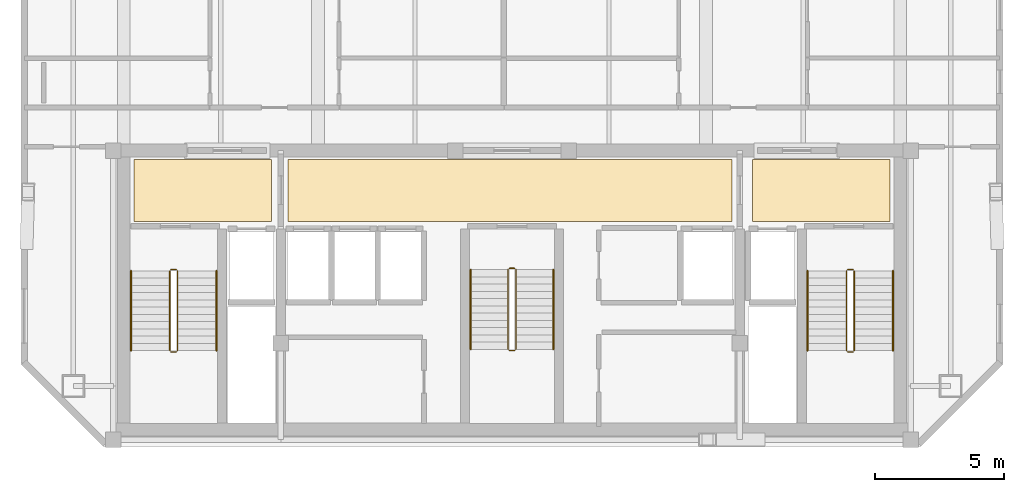
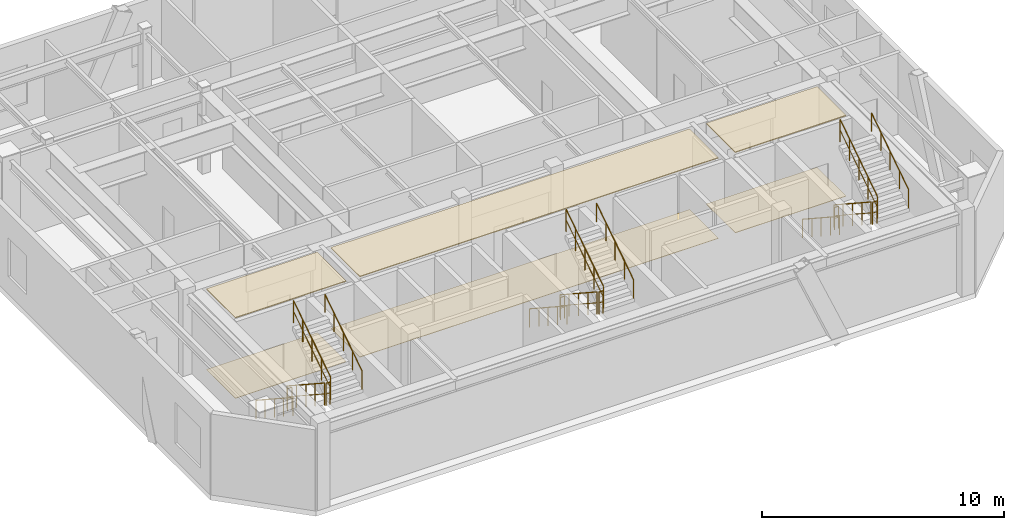
# One storey, part 10 of 10: 18 railings, 6 coverings.
"""IFC4 building model written with IfcOpenShell, lengths in metres."""

from ifc_helpers import new_model, si_unit, direction, frame, origin, origin_2d, place, context, subcontext, project, spatial, polyline, circle, outline, extrude, material, layer, layer_set, type_object, element, save


model = new_model("IFC4")

# Units and contexts
model_context = context("Model", 3, precision=1e-05, world=origin(), true_north=direction((0.0, 1.0)))
body_context = subcontext(model_context, "Body", "Model", "MODEL_VIEW")
ifc_project = project(units=[si_unit("LENGTHUNIT", "METRE"), si_unit("AREAUNIT", "SQUARE_METRE"), si_unit("VOLUMEUNIT", "CUBIC_METRE"), si_unit("PLANEANGLEUNIT", "RADIAN"), si_unit("MASSUNIT", "GRAM", prefix="KILO")], contexts=[model_context])

# Site, building, storey
site_placement = place(None, origin())
site = spatial("IfcSite", under=ifc_project, at=site_placement, CompositionType="ELEMENT")
building_placement = place(site_placement, origin())
building = spatial("IfcBuilding", under=site, at=building_placement, Name="Ventersveld Concourse Tower", CompositionType="ELEMENT")
storey_placement = place(building_placement, frame((0.0, 0.0, 362.25)))
storey = spatial("IfcBuildingStorey", under=building, at=storey_placement, Name="L89", CompositionType="ELEMENT", Elevation=362.25)

# Coverings
ifc_material_1 = material(Name="Mineral-fibre acoustic ceiling tile", Category="gypsum")
ifc_layer_1 = layer(ifc_material_1, 0.0400390625)
ifc_layer_set_1 = layer_set([ifc_layer_1], Name="Mineral-fibre acoustic ceiling tile")
covering_type_1 = type_object("IfcCoveringType", Name="COV-CEIL-ACOUSTIC", PredefinedType="CEILING", material=ifc_layer_set_1)
covering_1_placement = place(storey_placement, frame((0.0, 0.0, 4.06005859375)))
element("IfcCovering", 1, at=covering_1_placement, inside=storey, type_object=covering_type_1, Name="L89 North Lift Lobby Acoustic Ceiling", PredefinedType="CEILING", context=body_context, shape_type="SweptSolid", body=[
    extrude(outline(polyline([(20.10009765625, 8.699951171875), (37.25, 8.699951171875), (37.25, 11.10009765625), (20.10009765625, 11.10009765625), (20.10009765625, 8.699951171875)])), origin(), (0.0, 0.0, 1.0), 0.0400390625),
])
covering_2_placement = place(storey_placement, frame((0.0, 0.0, 4.06005859375)))
element("IfcCovering", 2, at=covering_2_placement, inside=storey, type_object=covering_type_1, Name="L89 West Firefighting Lobby Acoustic Ceiling", PredefinedType="CEILING", context=body_context, shape_type="SweptSolid", body=[
    extrude(outline(polyline([(14.14990234375, 8.699951171875), (19.449951171875, 8.699951171875), (19.449951171875, 11.10009765625), (14.14990234375, 11.10009765625), (14.14990234375, 8.699951171875)])), origin(), (0.0, 0.0, 1.0), 0.0400390625),
])
covering_3_placement = place(storey_placement, frame((0.0, 0.0, 4.06005859375)))
element("IfcCovering", 3, at=covering_3_placement, inside=storey, type_object=covering_type_1, Name="L89 East Firefighting Lobby Acoustic Ceiling", PredefinedType="CEILING", context=body_context, shape_type="SweptSolid", body=[
    extrude(outline(polyline([(38.050048828125, 8.699951171875), (43.35009765625, 8.699951171875), (43.35009765625, 11.10009765625), (38.050048828125, 11.10009765625), (38.050048828125, 8.699951171875)])), origin(), (0.0, 0.0, 1.0), 0.0400390625),
])
ifc_material_2 = material(Name="Polished Highveld granite terrazzo", Category="masonry")
ifc_layer_2 = layer(ifc_material_2, 0.02001953125)
ifc_layer_set_2 = layer_set([ifc_layer_2], Name="Polished Highveld granite terrazzo")
covering_type_2 = type_object("IfcCoveringType", Name="COV-FLOOR-TERRAZZO", PredefinedType="FLOORING", material=ifc_layer_set_2)
covering_4_placement = place(storey_placement, origin())
element("IfcCovering", 4, at=covering_4_placement, inside=storey, type_object=covering_type_2, Name="L89 North Lift Lobby Terrazzo Flooring", PredefinedType="FLOORING", context=body_context, shape_type="SweptSolid", body=[
    extrude(outline(polyline([(20.10009765625, 8.699951171875), (37.25, 8.699951171875), (37.25, 11.10009765625), (20.10009765625, 11.10009765625), (20.10009765625, 8.699951171875)])), origin(), (0.0, 0.0, 1.0), 0.02001953125),
])
covering_5_placement = place(storey_placement, origin())
element("IfcCovering", 5, at=covering_5_placement, inside=storey, type_object=covering_type_2, Name="L89 West Firefighting Lobby Terrazzo Flooring", PredefinedType="FLOORING", context=body_context, shape_type="SweptSolid", body=[
    extrude(outline(polyline([(14.14990234375, 8.699951171875), (19.449951171875, 8.699951171875), (19.449951171875, 11.10009765625), (14.14990234375, 11.10009765625), (14.14990234375, 8.699951171875)])), origin(), (0.0, 0.0, 1.0), 0.02001953125),
])
covering_6_placement = place(storey_placement, origin())
element("IfcCovering", 6, at=covering_6_placement, inside=storey, type_object=covering_type_2, Name="L89 East Firefighting Lobby Terrazzo Flooring", PredefinedType="FLOORING", context=body_context, shape_type="SweptSolid", body=[
    extrude(outline(polyline([(38.050048828125, 8.699951171875), (43.35009765625, 8.699951171875), (43.35009765625, 11.10009765625), (38.050048828125, 11.10009765625), (38.050048828125, 8.699951171875)])), origin(), (0.0, 0.0, 1.0), 0.02001953125),
])

# Railings
ifc_material_3 = material(Name="Brushed stainless steel 316", Category="steel")
railing_type_1 = type_object("IfcRailingType", Name="GD-BAL-115", PredefinedType="GUARDRAIL", material=ifc_material_3)
railing_1_placement = place(storey_placement, frame((15.530029296875, 6.800048828125, 0.183349609375)))
element("IfcRailing", 7, at=railing_1_placement, inside=storey, type_object=railing_type_1, Name="L89 ST-01 stair guard 1", PredefinedType="GUARDRAIL", context=body_context, shape_type="SweptSolid", body=[
    extrude(circle(Radius=0.02392578125, at=origin_2d()), frame((0.0, 0.0, 1.1259765625), z_axis=(0.0, -0.836633000464, 0.547763838287), x_axis=(1.0, 0.0, 0.0)), (0.0, 0.0, 1.0), 3.681396484375),
    extrude(circle(Radius=0.01611328125, at=origin_2d()), frame((0.0, 0.0, 0.574951171875), z_axis=(0.0, -0.836633000464, 0.547763838287), x_axis=(1.0, 0.0, 0.0)), (0.0, 0.0, 1.0), 3.681396484375),
    extrude(circle(Radius=0.02099609375, at=origin_2d()), origin(), (0.0, 0.0, 1.0), 1.101806640625),
    extrude(circle(Radius=0.02099609375, at=origin_2d()), frame((0.0, -0.77001953125, 0.504150390625)), (0.0, 0.0, 1.0), 1.101806640625),
    extrude(circle(Radius=0.02099609375, at=origin_2d()), frame((0.0, -1.5400390625, 1.00830078125)), (0.0, 0.0, 1.0), 1.101806640625),
    extrude(circle(Radius=0.02099609375, at=origin_2d()), frame((0.0, -2.31005859375, 1.512451171875)), (0.0, 0.0, 1.0), 1.101806640625),
    extrude(circle(Radius=0.02099609375, at=origin_2d()), frame((0.0, -3.080078125, 2.0166015625)), (0.0, 0.0, 1.0), 1.101806640625),
])
railing_2_placement = place(storey_placement, frame((15.580078125, 3.669921875, 2.199951171875)))
element("IfcRailing", 8, at=railing_2_placement, inside=storey, type_object=railing_type_1, Name="L89 ST-01 stair guard 2", PredefinedType="GUARDRAIL", context=body_context, shape_type="SweptSolid", body=[
    extrude(circle(Radius=0.02392578125, at=origin_2d()), frame((0.0, 0.0, 1.1259765625), z_axis=(1.0, 0.0, 0.0), x_axis=(0.0, 1.0, 0.0)), (0.0, 0.0, 1.0), 0.199951171875),
    extrude(circle(Radius=0.01611328125, at=origin_2d()), frame((0.0, 0.0, 0.574951171875), z_axis=(1.0, 0.0, 0.0), x_axis=(0.0, 1.0, 0.0)), (0.0, 0.0, 1.0), 0.199951171875),
    extrude(circle(Radius=0.02099609375, at=origin_2d()), origin(), (0.0, 0.0, 1.0), 1.101806640625),
    extrude(circle(Radius=0.02099609375, at=origin_2d()), frame((0.199951171875, 0.0, 0.0)), (0.0, 0.0, 1.0), 1.101806640625),
])
railing_3_placement = place(storey_placement, frame((15.830078125, 3.719970703125, 2.38330078125)))
element("IfcRailing", 9, at=railing_3_placement, inside=storey, type_object=railing_type_1, Name="L89 ST-01 stair guard 3", PredefinedType="GUARDRAIL", context=body_context, shape_type="SweptSolid", body=[
    extrude(circle(Radius=0.02392578125, at=origin_2d()), frame((0.0, 0.0, 1.1259765625), z_axis=(0.0, 0.836633000464, 0.547763838287), x_axis=(-1.0, 0.0, 0.0)), (0.0, 0.0, 1.0), 3.681396484375),
    extrude(circle(Radius=0.01611328125, at=origin_2d()), frame((0.0, 0.0, 0.574951171875), z_axis=(0.0, 0.836633000464, 0.547763838287), x_axis=(-1.0, 0.0, 0.0)), (0.0, 0.0, 1.0), 3.681396484375),
    extrude(circle(Radius=0.02099609375, at=origin_2d()), origin(), (0.0, 0.0, 1.0), 1.101806640625),
    extrude(circle(Radius=0.02099609375, at=origin_2d()), frame((0.0, 0.77001953125, 0.504150390625)), (0.0, 0.0, 1.0), 1.101806640625),
    extrude(circle(Radius=0.02099609375, at=origin_2d()), frame((0.0, 1.5400390625, 1.00830078125)), (0.0, 0.0, 1.0), 1.101806640625),
    extrude(circle(Radius=0.02099609375, at=origin_2d()), frame((0.0, 2.31005859375, 1.512451171875)), (0.0, 0.0, 1.0), 1.101806640625),
    extrude(circle(Radius=0.02099609375, at=origin_2d()), frame((0.0, 3.080078125, 2.0166015625)), (0.0, 0.0, 1.0), 1.101806640625),
])
railing_4_placement = place(storey_placement, frame((15.580078125, 6.85009765625, 0.0)))
element("IfcRailing", 10, at=railing_4_placement, inside=storey, type_object=railing_type_1, Name="L89 ST-01 stair guard 4", PredefinedType="GUARDRAIL", context=body_context, shape_type="SweptSolid", body=[
    extrude(circle(Radius=0.02392578125, at=origin_2d()), frame((0.0, 0.0, 1.1259765625), z_axis=(1.0, 0.0, 0.0), x_axis=(0.0, 1.0, 0.0)), (0.0, 0.0, 1.0), 0.199951171875),
    extrude(circle(Radius=0.01611328125, at=origin_2d()), frame((0.0, 0.0, 0.574951171875), z_axis=(1.0, 0.0, 0.0), x_axis=(0.0, 1.0, 0.0)), (0.0, 0.0, 1.0), 0.199951171875),
    extrude(circle(Radius=0.02099609375, at=origin_2d()), origin(), (0.0, 0.0, 1.0), 1.101806640625),
    extrude(circle(Radius=0.02099609375, at=origin_2d()), frame((0.199951171875, 0.0, 0.0)), (0.0, 0.0, 1.0), 1.101806640625),
])
railing_5_placement = place(storey_placement, frame((41.669921875, 6.800048828125, 0.183349609375)))
element("IfcRailing", 11, at=railing_5_placement, inside=storey, type_object=railing_type_1, Name="L89 ST-02 stair guard 1", PredefinedType="GUARDRAIL", context=body_context, shape_type="SweptSolid", body=[
    extrude(circle(Radius=0.02392578125, at=origin_2d()), frame((0.0, 0.0, 1.1259765625), z_axis=(0.0, -0.836633000464, 0.547763838287), x_axis=(1.0, 0.0, 0.0)), (0.0, 0.0, 1.0), 3.681396484375),
    extrude(circle(Radius=0.01611328125, at=origin_2d()), frame((0.0, 0.0, 0.574951171875), z_axis=(0.0, -0.836633000464, 0.547763838287), x_axis=(1.0, 0.0, 0.0)), (0.0, 0.0, 1.0), 3.681396484375),
    extrude(circle(Radius=0.02099609375, at=origin_2d()), origin(), (0.0, 0.0, 1.0), 1.101806640625),
    extrude(circle(Radius=0.02099609375, at=origin_2d()), frame((0.0, -0.77001953125, 0.504150390625)), (0.0, 0.0, 1.0), 1.101806640625),
    extrude(circle(Radius=0.02099609375, at=origin_2d()), frame((0.0, -1.5400390625, 1.00830078125)), (0.0, 0.0, 1.0), 1.101806640625),
    extrude(circle(Radius=0.02099609375, at=origin_2d()), frame((0.0, -2.31005859375, 1.512451171875)), (0.0, 0.0, 1.0), 1.101806640625),
    extrude(circle(Radius=0.02099609375, at=origin_2d()), frame((0.0, -3.080078125, 2.0166015625)), (0.0, 0.0, 1.0), 1.101806640625),
])
railing_6_placement = place(storey_placement, frame((41.719970703125, 3.669921875, 2.199951171875)))
element("IfcRailing", 12, at=railing_6_placement, inside=storey, type_object=railing_type_1, Name="L89 ST-02 stair guard 2", PredefinedType="GUARDRAIL", context=body_context, shape_type="SweptSolid", body=[
    extrude(circle(Radius=0.02392578125, at=origin_2d()), frame((0.0, 0.0, 1.1259765625), z_axis=(1.0, 0.0, 0.0), x_axis=(0.0, 1.0, 0.0)), (0.0, 0.0, 1.0), 0.199951171875),
    extrude(circle(Radius=0.01611328125, at=origin_2d()), frame((0.0, 0.0, 0.574951171875), z_axis=(1.0, 0.0, 0.0), x_axis=(0.0, 1.0, 0.0)), (0.0, 0.0, 1.0), 0.199951171875),
    extrude(circle(Radius=0.02099609375, at=origin_2d()), origin(), (0.0, 0.0, 1.0), 1.101806640625),
    extrude(circle(Radius=0.02099609375, at=origin_2d()), frame((0.199951171875, 0.0, 0.0)), (0.0, 0.0, 1.0), 1.101806640625),
])
railing_7_placement = place(storey_placement, frame((41.969970703125, 3.719970703125, 2.38330078125)))
element("IfcRailing", 13, at=railing_7_placement, inside=storey, type_object=railing_type_1, Name="L89 ST-02 stair guard 3", PredefinedType="GUARDRAIL", context=body_context, shape_type="SweptSolid", body=[
    extrude(circle(Radius=0.02392578125, at=origin_2d()), frame((0.0, 0.0, 1.1259765625), z_axis=(0.0, 0.836633000464, 0.547763838287), x_axis=(-1.0, 0.0, 0.0)), (0.0, 0.0, 1.0), 3.681396484375),
    extrude(circle(Radius=0.01611328125, at=origin_2d()), frame((0.0, 0.0, 0.574951171875), z_axis=(0.0, 0.836633000464, 0.547763838287), x_axis=(-1.0, 0.0, 0.0)), (0.0, 0.0, 1.0), 3.681396484375),
    extrude(circle(Radius=0.02099609375, at=origin_2d()), origin(), (0.0, 0.0, 1.0), 1.101806640625),
    extrude(circle(Radius=0.02099609375, at=origin_2d()), frame((0.0, 0.77001953125, 0.504150390625)), (0.0, 0.0, 1.0), 1.101806640625),
    extrude(circle(Radius=0.02099609375, at=origin_2d()), frame((0.0, 1.5400390625, 1.00830078125)), (0.0, 0.0, 1.0), 1.101806640625),
    extrude(circle(Radius=0.02099609375, at=origin_2d()), frame((0.0, 2.31005859375, 1.512451171875)), (0.0, 0.0, 1.0), 1.101806640625),
    extrude(circle(Radius=0.02099609375, at=origin_2d()), frame((0.0, 3.080078125, 2.0166015625)), (0.0, 0.0, 1.0), 1.101806640625),
])
railing_8_placement = place(storey_placement, frame((41.719970703125, 6.85009765625, 0.0)))
element("IfcRailing", 14, at=railing_8_placement, inside=storey, type_object=railing_type_1, Name="L89 ST-02 stair guard 4", PredefinedType="GUARDRAIL", context=body_context, shape_type="SweptSolid", body=[
    extrude(circle(Radius=0.02392578125, at=origin_2d()), frame((0.0, 0.0, 1.1259765625), z_axis=(1.0, 0.0, 0.0), x_axis=(0.0, 1.0, 0.0)), (0.0, 0.0, 1.0), 0.199951171875),
    extrude(circle(Radius=0.01611328125, at=origin_2d()), frame((0.0, 0.0, 0.574951171875), z_axis=(1.0, 0.0, 0.0), x_axis=(0.0, 1.0, 0.0)), (0.0, 0.0, 1.0), 0.199951171875),
    extrude(circle(Radius=0.02099609375, at=origin_2d()), origin(), (0.0, 0.0, 1.0), 1.101806640625),
    extrude(circle(Radius=0.02099609375, at=origin_2d()), frame((0.199951171875, 0.0, 0.0)), (0.0, 0.0, 1.0), 1.101806640625),
])
railing_9_placement = place(storey_placement, frame((28.60009765625, 6.85009765625, 0.183349609375)))
element("IfcRailing", 15, at=railing_9_placement, inside=storey, type_object=railing_type_1, Name="L89 ST-03 stair guard 1", PredefinedType="GUARDRAIL", context=body_context, shape_type="SweptSolid", body=[
    extrude(circle(Radius=0.02392578125, at=origin_2d()), frame((0.0, 0.0, 1.1259765625), z_axis=(0.0, -0.836633000464, 0.547763838287), x_axis=(1.0, 0.0, 0.0)), (0.0, 0.0, 1.0), 3.681396484375),
    extrude(circle(Radius=0.01611328125, at=origin_2d()), frame((0.0, 0.0, 0.574951171875), z_axis=(0.0, -0.836633000464, 0.547763838287), x_axis=(1.0, 0.0, 0.0)), (0.0, 0.0, 1.0), 3.681396484375),
    extrude(circle(Radius=0.02099609375, at=origin_2d()), origin(), (0.0, 0.0, 1.0), 1.101806640625),
    extrude(circle(Radius=0.02099609375, at=origin_2d()), frame((0.0, -0.77001953125, 0.504150390625)), (0.0, 0.0, 1.0), 1.101806640625),
    extrude(circle(Radius=0.02099609375, at=origin_2d()), frame((0.0, -1.5400390625, 1.00830078125)), (0.0, 0.0, 1.0), 1.101806640625),
    extrude(circle(Radius=0.02099609375, at=origin_2d()), frame((0.0, -2.31005859375, 1.512451171875)), (0.0, 0.0, 1.0), 1.101806640625),
    extrude(circle(Radius=0.02099609375, at=origin_2d()), frame((0.0, -3.080078125, 2.0166015625)), (0.0, 0.0, 1.0), 1.101806640625),
])
railing_10_placement = place(storey_placement, frame((28.64990234375, 3.719970703125, 2.199951171875)))
element("IfcRailing", 16, at=railing_10_placement, inside=storey, type_object=railing_type_1, Name="L89 ST-03 stair guard 2", PredefinedType="GUARDRAIL", context=body_context, shape_type="SweptSolid", body=[
    extrude(circle(Radius=0.02392578125, at=origin_2d()), frame((0.0, 0.0, 1.1259765625), z_axis=(1.0, 0.0, 0.0), x_axis=(0.0, 1.0, 0.0)), (0.0, 0.0, 1.0), 0.2001953125),
    extrude(circle(Radius=0.01611328125, at=origin_2d()), frame((0.0, 0.0, 0.574951171875), z_axis=(1.0, 0.0, 0.0), x_axis=(0.0, 1.0, 0.0)), (0.0, 0.0, 1.0), 0.2001953125),
    extrude(circle(Radius=0.02099609375, at=origin_2d()), origin(), (0.0, 0.0, 1.0), 1.101806640625),
    extrude(circle(Radius=0.02099609375, at=origin_2d()), frame((0.2001953125, 0.0, 0.0)), (0.0, 0.0, 1.0), 1.101806640625),
])
railing_11_placement = place(storey_placement, frame((28.89990234375, 3.77001953125, 2.38330078125)))
element("IfcRailing", 17, at=railing_11_placement, inside=storey, type_object=railing_type_1, Name="L89 ST-03 stair guard 3", PredefinedType="GUARDRAIL", context=body_context, shape_type="SweptSolid", body=[
    extrude(circle(Radius=0.02392578125, at=origin_2d()), frame((0.0, 0.0, 1.1259765625), z_axis=(0.0, 0.836633000464, 0.547763838287), x_axis=(-1.0, 0.0, 0.0)), (0.0, 0.0, 1.0), 3.681396484375),
    extrude(circle(Radius=0.01611328125, at=origin_2d()), frame((0.0, 0.0, 0.574951171875), z_axis=(0.0, 0.836633000464, 0.547763838287), x_axis=(-1.0, 0.0, 0.0)), (0.0, 0.0, 1.0), 3.681396484375),
    extrude(circle(Radius=0.02099609375, at=origin_2d()), origin(), (0.0, 0.0, 1.0), 1.101806640625),
    extrude(circle(Radius=0.02099609375, at=origin_2d()), frame((0.0, 0.77001953125, 0.504150390625)), (0.0, 0.0, 1.0), 1.101806640625),
    extrude(circle(Radius=0.02099609375, at=origin_2d()), frame((0.0, 1.5400390625, 1.00830078125)), (0.0, 0.0, 1.0), 1.101806640625),
    extrude(circle(Radius=0.02099609375, at=origin_2d()), frame((0.0, 2.31005859375, 1.512451171875)), (0.0, 0.0, 1.0), 1.101806640625),
    extrude(circle(Radius=0.02099609375, at=origin_2d()), frame((0.0, 3.080078125, 2.0166015625)), (0.0, 0.0, 1.0), 1.101806640625),
])
railing_12_placement = place(storey_placement, frame((28.64990234375, 6.89990234375, 0.0)))
element("IfcRailing", 18, at=railing_12_placement, inside=storey, type_object=railing_type_1, Name="L89 ST-03 stair guard 4", PredefinedType="GUARDRAIL", context=body_context, shape_type="SweptSolid", body=[
    extrude(circle(Radius=0.02392578125, at=origin_2d()), frame((0.0, 0.0, 1.1259765625), z_axis=(1.0, 0.0, 0.0), x_axis=(0.0, 1.0, 0.0)), (0.0, 0.0, 1.0), 0.2001953125),
    extrude(circle(Radius=0.01611328125, at=origin_2d()), frame((0.0, 0.0, 0.574951171875), z_axis=(1.0, 0.0, 0.0), x_axis=(0.0, 1.0, 0.0)), (0.0, 0.0, 1.0), 0.2001953125),
    extrude(circle(Radius=0.02099609375, at=origin_2d()), origin(), (0.0, 0.0, 1.0), 1.101806640625),
    extrude(circle(Radius=0.02099609375, at=origin_2d()), frame((0.2001953125, 0.0, 0.0)), (0.0, 0.0, 1.0), 1.101806640625),
])
railing_type_2 = type_object("IfcRailingType", Name="HR-RMP-095", PredefinedType="HANDRAIL", material=ifc_material_3)
railing_13_placement = place(storey_placement, frame((14.030029296875, 6.800048828125, 0.183349609375)))
element("IfcRailing", 19, at=railing_13_placement, inside=storey, type_object=railing_type_2, Name="L89 ST-01 stair handrail 1", PredefinedType="HANDRAIL", context=body_context, shape_type="SweptSolid", body=[
    extrude(circle(Radius=0.02392578125, at=origin_2d()), frame((0.0, 0.0, 0.92578125), z_axis=(0.0, -0.836633000464, 0.547763838287), x_axis=(1.0, 0.0, 0.0)), (0.0, 0.0, 1.0), 3.681396484375),
    extrude(circle(Radius=0.02099609375, at=origin_2d()), origin(), (0.0, 0.0, 1.0), 0.90185546875),
    extrude(circle(Radius=0.02099609375, at=origin_2d()), frame((0.0, -0.77001953125, 0.504150390625)), (0.0, 0.0, 1.0), 0.90185546875),
    extrude(circle(Radius=0.02099609375, at=origin_2d()), frame((0.0, -1.5400390625, 1.00830078125)), (0.0, 0.0, 1.0), 0.90185546875),
    extrude(circle(Radius=0.02099609375, at=origin_2d()), frame((0.0, -2.31005859375, 1.512451171875)), (0.0, 0.0, 1.0), 0.90185546875),
    extrude(circle(Radius=0.02099609375, at=origin_2d()), frame((0.0, -3.080078125, 2.0166015625)), (0.0, 0.0, 1.0), 0.90185546875),
])
railing_14_placement = place(storey_placement, frame((17.330078125, 3.719970703125, 2.38330078125)))
element("IfcRailing", 20, at=railing_14_placement, inside=storey, type_object=railing_type_2, Name="L89 ST-01 stair handrail 2", PredefinedType="HANDRAIL", context=body_context, shape_type="SweptSolid", body=[
    extrude(circle(Radius=0.02392578125, at=origin_2d()), frame((0.0, 0.0, 0.92578125), z_axis=(0.0, 0.836633000464, 0.547763838287), x_axis=(-1.0, 0.0, 0.0)), (0.0, 0.0, 1.0), 3.681396484375),
    extrude(circle(Radius=0.02099609375, at=origin_2d()), origin(), (0.0, 0.0, 1.0), 0.90185546875),
    extrude(circle(Radius=0.02099609375, at=origin_2d()), frame((0.0, 0.77001953125, 0.504150390625)), (0.0, 0.0, 1.0), 0.90185546875),
    extrude(circle(Radius=0.02099609375, at=origin_2d()), frame((0.0, 1.5400390625, 1.00830078125)), (0.0, 0.0, 1.0), 0.90185546875),
    extrude(circle(Radius=0.02099609375, at=origin_2d()), frame((0.0, 2.31005859375, 1.512451171875)), (0.0, 0.0, 1.0), 0.90185546875),
    extrude(circle(Radius=0.02099609375, at=origin_2d()), frame((0.0, 3.080078125, 2.0166015625)), (0.0, 0.0, 1.0), 0.90185546875),
])
railing_15_placement = place(storey_placement, frame((40.169921875, 6.800048828125, 0.183349609375)))
element("IfcRailing", 21, at=railing_15_placement, inside=storey, type_object=railing_type_2, Name="L89 ST-02 stair handrail 1", PredefinedType="HANDRAIL", context=body_context, shape_type="SweptSolid", body=[
    extrude(circle(Radius=0.02392578125, at=origin_2d()), frame((0.0, 0.0, 0.92578125), z_axis=(0.0, -0.836633000464, 0.547763838287), x_axis=(1.0, 0.0, 0.0)), (0.0, 0.0, 1.0), 3.681396484375),
    extrude(circle(Radius=0.02099609375, at=origin_2d()), origin(), (0.0, 0.0, 1.0), 0.90185546875),
    extrude(circle(Radius=0.02099609375, at=origin_2d()), frame((0.0, -0.77001953125, 0.504150390625)), (0.0, 0.0, 1.0), 0.90185546875),
    extrude(circle(Radius=0.02099609375, at=origin_2d()), frame((0.0, -1.5400390625, 1.00830078125)), (0.0, 0.0, 1.0), 0.90185546875),
    extrude(circle(Radius=0.02099609375, at=origin_2d()), frame((0.0, -2.31005859375, 1.512451171875)), (0.0, 0.0, 1.0), 0.90185546875),
    extrude(circle(Radius=0.02099609375, at=origin_2d()), frame((0.0, -3.080078125, 2.0166015625)), (0.0, 0.0, 1.0), 0.90185546875),
])
railing_16_placement = place(storey_placement, frame((43.469970703125, 3.719970703125, 2.38330078125)))
element("IfcRailing", 22, at=railing_16_placement, inside=storey, type_object=railing_type_2, Name="L89 ST-02 stair handrail 2", PredefinedType="HANDRAIL", context=body_context, shape_type="SweptSolid", body=[
    extrude(circle(Radius=0.02392578125, at=origin_2d()), frame((0.0, 0.0, 0.92578125), z_axis=(0.0, 0.836633000464, 0.547763838287), x_axis=(-1.0, 0.0, 0.0)), (0.0, 0.0, 1.0), 3.681396484375),
    extrude(circle(Radius=0.02099609375, at=origin_2d()), origin(), (0.0, 0.0, 1.0), 0.90185546875),
    extrude(circle(Radius=0.02099609375, at=origin_2d()), frame((0.0, 0.77001953125, 0.504150390625)), (0.0, 0.0, 1.0), 0.90185546875),
    extrude(circle(Radius=0.02099609375, at=origin_2d()), frame((0.0, 1.5400390625, 1.00830078125)), (0.0, 0.0, 1.0), 0.90185546875),
    extrude(circle(Radius=0.02099609375, at=origin_2d()), frame((0.0, 2.31005859375, 1.512451171875)), (0.0, 0.0, 1.0), 0.90185546875),
    extrude(circle(Radius=0.02099609375, at=origin_2d()), frame((0.0, 3.080078125, 2.0166015625)), (0.0, 0.0, 1.0), 0.90185546875),
])
railing_17_placement = place(storey_placement, frame((27.14990234375, 6.85009765625, 0.183349609375)))
element("IfcRailing", 23, at=railing_17_placement, inside=storey, type_object=railing_type_2, Name="L89 ST-03 stair handrail 1", PredefinedType="HANDRAIL", context=body_context, shape_type="SweptSolid", body=[
    extrude(circle(Radius=0.02392578125, at=origin_2d()), frame((0.0, 0.0, 0.92578125), z_axis=(0.0, -0.836633000464, 0.547763838287), x_axis=(1.0, 0.0, 0.0)), (0.0, 0.0, 1.0), 3.681396484375),
    extrude(circle(Radius=0.02099609375, at=origin_2d()), origin(), (0.0, 0.0, 1.0), 0.90185546875),
    extrude(circle(Radius=0.02099609375, at=origin_2d()), frame((0.0, -0.77001953125, 0.504150390625)), (0.0, 0.0, 1.0), 0.90185546875),
    extrude(circle(Radius=0.02099609375, at=origin_2d()), frame((0.0, -1.5400390625, 1.00830078125)), (0.0, 0.0, 1.0), 0.90185546875),
    extrude(circle(Radius=0.02099609375, at=origin_2d()), frame((0.0, -2.31005859375, 1.512451171875)), (0.0, 0.0, 1.0), 0.90185546875),
    extrude(circle(Radius=0.02099609375, at=origin_2d()), frame((0.0, -3.080078125, 2.0166015625)), (0.0, 0.0, 1.0), 0.90185546875),
])
railing_18_placement = place(storey_placement, frame((30.35009765625, 3.77001953125, 2.38330078125)))
element("IfcRailing", 24, at=railing_18_placement, inside=storey, type_object=railing_type_2, Name="L89 ST-03 stair handrail 2", PredefinedType="HANDRAIL", context=body_context, shape_type="SweptSolid", body=[
    extrude(circle(Radius=0.02392578125, at=origin_2d()), frame((0.0, 0.0, 0.92578125), z_axis=(0.0, 0.836633000464, 0.547763838287), x_axis=(-1.0, 0.0, 0.0)), (0.0, 0.0, 1.0), 3.681396484375),
    extrude(circle(Radius=0.02099609375, at=origin_2d()), origin(), (0.0, 0.0, 1.0), 0.90185546875),
    extrude(circle(Radius=0.02099609375, at=origin_2d()), frame((0.0, 0.77001953125, 0.504150390625)), (0.0, 0.0, 1.0), 0.90185546875),
    extrude(circle(Radius=0.02099609375, at=origin_2d()), frame((0.0, 1.5400390625, 1.00830078125)), (0.0, 0.0, 1.0), 0.90185546875),
    extrude(circle(Radius=0.02099609375, at=origin_2d()), frame((0.0, 2.31005859375, 1.512451171875)), (0.0, 0.0, 1.0), 0.90185546875),
    extrude(circle(Radius=0.02099609375, at=origin_2d()), frame((0.0, 3.080078125, 2.0166015625)), (0.0, 0.0, 1.0), 0.90185546875),
])

save(model, "model.ifc")
